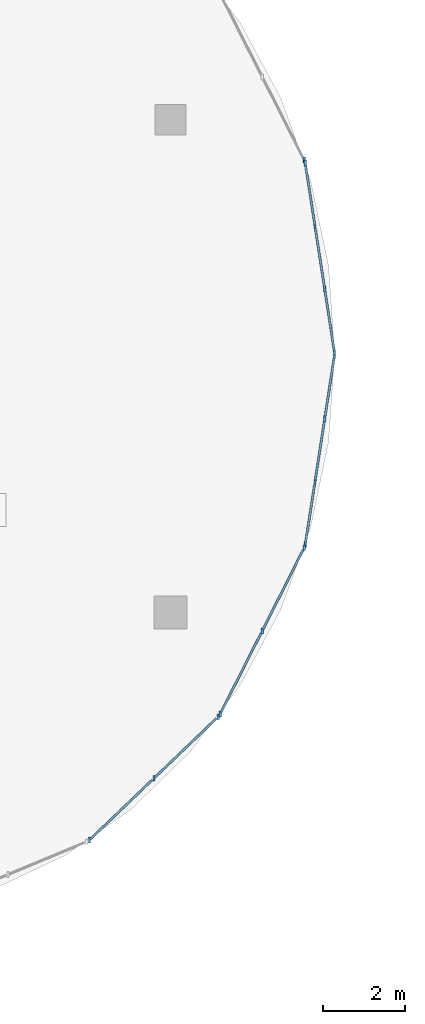
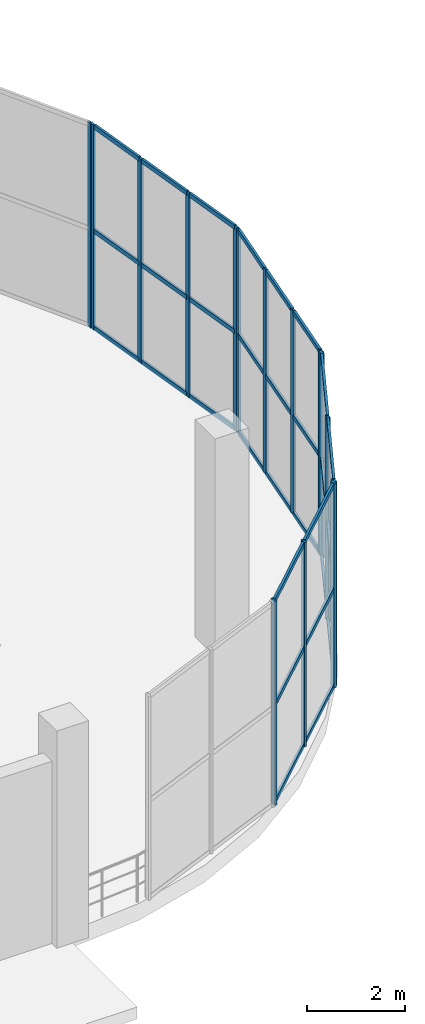
# One storey, part 40 of 85: 45 members, 5 elements without a shape of their own.
"""IFC4 building model written with IfcOpenShell, lengths in metres."""

from ifc_helpers import new_model, si_unit, direction, frame, origin, origin_2d, place, context, subcontext, project, spatial, rectangle, extrude, material, material_profile, profile_set, type_object, element, aggregate, save


model = new_model("IFC4")

# Units and contexts
model_context = context("Model", 3, precision=1e-05, world=origin(), true_north=direction((0.0, 1.0)))
body_context = subcontext(model_context, "Body", "Model", "MODEL_VIEW")
ifc_project = project(units=[si_unit("LENGTHUNIT", "METRE"), si_unit("AREAUNIT", "SQUARE_METRE"), si_unit("VOLUMEUNIT", "CUBIC_METRE"), si_unit("PLANEANGLEUNIT", "RADIAN"), si_unit("MASSUNIT", "GRAM", prefix="KILO"), si_unit("THERMODYNAMICTEMPERATUREUNIT", "KELVIN"), si_unit("POWERUNIT", "WATT")], contexts=[model_context])

# Site, building, storey
site_placement = place(None, origin())
site = spatial("IfcSite", under=ifc_project, at=site_placement, CompositionType="ELEMENT")
building_placement = place(site_placement, origin())
building = spatial("IfcBuilding", under=site, at=building_placement, Name="Solmara Park Aquatics Centre", CompositionType="ELEMENT")
storey_placement = place(building_placement, origin())
storey = spatial("IfcBuildingStorey", under=building, at=storey_placement, Name="L00", CompositionType="ELEMENT", Elevation=0.0)

# Curtain wall, members
ifc_material_1 = material(Name="Anodised Aluminium Curtain Wall Framing", Category="aluminium")
curtain_wall_type = type_object("IfcCurtainWallType", Name="ARC-CW-SYS06", PredefinedType="USERDEFINED", material=ifc_material_1)
curtain_wall_1_placement = place(storey_placement, origin())
curtain_wall_1 = element("IfcCurtainWall", 1, at=curtain_wall_1_placement, inside=storey, type_object=curtain_wall_type, Name="Curtain Wall CW-139", ObjectType="CURTAIN WALL", PredefinedType="USERDEFINED")
ifc_material_2 = material(Name="Anodised Aluminium Alloy 6063-T6", Category="aluminium")
ifc_material_profile_1 = material_profile(ifc_material_2, rectangle(XDim=0.054931640625, YDim=0.139892578125, at=origin_2d()), Name="ALU MULLION 55x140")
ifc_profile_set_1 = profile_set([ifc_material_profile_1], Name="Anodised Aluminium Alloy 6063-T6")
member_type_1 = type_object("IfcMemberType", Name="ARC-CWM-55x140", PredefinedType="MULLION", material=ifc_profile_set_1)
member_1_placement = place(storey_placement, frame((162.02880859375, 110.463134765625, 0.0), z_axis=(0.0, 0.0, 1.0), x_axis=(1.0, 0.0, 0.0)))
member_1 = element("IfcMember", 2, at=member_1_placement, type_object=member_type_1, Name="CW-139 mullion 1", PredefinedType="MULLION", context=body_context, shape_type="SweptSolid", body=[
    extrude(rectangle(XDim=0.054931640625, YDim=0.139892578125, at=origin_2d()), origin(), (0.0, 0.0, 1.0), 5.080078125),
])
member_2_placement = place(storey_placement, frame((163.59619140625, 111.964599609375, 0.0), z_axis=(0.0, 0.0, 1.0), x_axis=(1.0, 0.0, 0.0)))
member_2 = element("IfcMember", 3, at=member_2_placement, type_object=member_type_1, Name="CW-139 mullion 2", PredefinedType="MULLION", context=body_context, shape_type="SweptSolid", body=[
    extrude(rectangle(XDim=0.054931640625, YDim=0.139892578125, at=origin_2d()), origin(), (0.0, 0.0, 1.0), 5.080078125),
])
member_3_placement = place(storey_placement, frame((165.16357421875, 113.466064453125, 0.0), z_axis=(0.0, 0.0, 1.0), x_axis=(1.0, 0.0, 0.0)))
member_3 = element("IfcMember", 4, at=member_3_placement, type_object=member_type_1, Name="CW-139 mullion 3", PredefinedType="MULLION", context=body_context, shape_type="SweptSolid", body=[
    extrude(rectangle(XDim=0.054931640625, YDim=0.139892578125, at=origin_2d()), origin(), (0.0, 0.0, 1.0), 5.080078125),
])

curtain_wall_2_placement = place(storey_placement, origin())
curtain_wall_2 = element("IfcCurtainWall", 5, at=curtain_wall_2_placement, inside=storey, type_object=curtain_wall_type, Name="Curtain Wall CW-140", ObjectType="CURTAIN WALL", PredefinedType="USERDEFINED")
member_4_placement = place(storey_placement, frame((165.210693359375, 113.529541015625, 0.0), z_axis=(0.0, 0.0, 1.0), x_axis=(1.0, 0.0, 0.0)))
member_4 = element("IfcMember", 6, at=member_4_placement, type_object=member_type_1, Name="CW-140 mullion 1", PredefinedType="MULLION", context=body_context, shape_type="SweptSolid", body=[
    extrude(rectangle(XDim=0.054931640625, YDim=0.139892578125, at=origin_2d()), origin(), (0.0, 0.0, 1.0), 5.080078125),
])
member_5_placement = place(storey_placement, frame((166.234375, 115.553955078125, 0.0), z_axis=(0.0, 0.0, 1.0), x_axis=(1.0, 0.0, 0.0)))
member_5 = element("IfcMember", 7, at=member_5_placement, type_object=member_type_1, Name="CW-140 mullion 2", PredefinedType="MULLION", context=body_context, shape_type="SweptSolid", body=[
    extrude(rectangle(XDim=0.054931640625, YDim=0.139892578125, at=origin_2d()), origin(), (0.0, 0.0, 1.0), 5.080078125),
])
member_6_placement = place(storey_placement, frame((167.25830078125, 117.57861328125, 0.0), z_axis=(0.0, 0.0, 1.0), x_axis=(1.0, 0.0, 0.0)))
member_6 = element("IfcMember", 8, at=member_6_placement, type_object=member_type_1, Name="CW-140 mullion 3", PredefinedType="MULLION", context=body_context, shape_type="SweptSolid", body=[
    extrude(rectangle(XDim=0.054931640625, YDim=0.139892578125, at=origin_2d()), origin(), (0.0, 0.0, 1.0), 5.080078125),
])

curtain_wall_3_placement = place(storey_placement, origin())
curtain_wall_3 = element("IfcCurtainWall", 9, at=curtain_wall_3_placement, inside=storey, type_object=curtain_wall_type, Name="Curtain Wall CW-141", ObjectType="CURTAIN WALL", PredefinedType="USERDEFINED")
member_7_placement = place(storey_placement, frame((167.282470703125, 117.65380859375, 0.0), z_axis=(0.0, 0.0, 1.0), x_axis=(1.0, 0.0, 0.0)))
member_7 = element("IfcMember", 10, at=member_7_placement, type_object=member_type_1, Name="CW-141 mullion 1", PredefinedType="MULLION", context=body_context, shape_type="SweptSolid", body=[
    extrude(rectangle(XDim=0.054931640625, YDim=0.139892578125, at=origin_2d()), origin(), (0.0, 0.0, 1.0), 5.080078125),
])
member_8_placement = place(storey_placement, frame((167.51953125, 119.189453125, 0.0), z_axis=(0.0, 0.0, 1.0), x_axis=(1.0, 0.0, 0.0)))
member_8 = element("IfcMember", 11, at=member_8_placement, type_object=member_type_1, Name="CW-141 mullion 2", PredefinedType="MULLION", context=body_context, shape_type="SweptSolid", body=[
    extrude(rectangle(XDim=0.054931640625, YDim=0.139892578125, at=origin_2d()), origin(), (0.0, 0.0, 1.0), 5.080078125),
])
member_9_placement = place(storey_placement, frame((167.756591796875, 120.724853515625, 0.0), z_axis=(0.0, 0.0, 1.0), x_axis=(1.0, 0.0, 0.0)))
member_9 = element("IfcMember", 12, at=member_9_placement, type_object=member_type_1, Name="CW-141 mullion 3", PredefinedType="MULLION", context=body_context, shape_type="SweptSolid", body=[
    extrude(rectangle(XDim=0.054931640625, YDim=0.139892578125, at=origin_2d()), origin(), (0.0, 0.0, 1.0), 5.080078125),
])
member_10_placement = place(storey_placement, frame((167.993896484375, 122.260498046875, 0.0), z_axis=(0.0, 0.0, 1.0), x_axis=(1.0, 0.0, 0.0)))
member_10 = element("IfcMember", 13, at=member_10_placement, type_object=member_type_1, Name="CW-141 mullion 4", PredefinedType="MULLION", context=body_context, shape_type="SweptSolid", body=[
    extrude(rectangle(XDim=0.054931640625, YDim=0.139892578125, at=origin_2d()), origin(), (0.0, 0.0, 1.0), 5.080078125),
])

curtain_wall_4_placement = place(storey_placement, origin())
curtain_wall_4 = element("IfcCurtainWall", 14, at=curtain_wall_4_placement, inside=storey, type_object=curtain_wall_type, Name="Curtain Wall CW-142", ObjectType="CURTAIN WALL", PredefinedType="USERDEFINED")
member_11_placement = place(storey_placement, frame((167.993896484375, 122.339599609375, 0.0), z_axis=(0.0, 0.0, 1.0), x_axis=(1.0, 0.0, 0.0)))
member_11 = element("IfcMember", 15, at=member_11_placement, type_object=member_type_1, Name="CW-142 mullion 1", PredefinedType="MULLION", context=body_context, shape_type="SweptSolid", body=[
    extrude(rectangle(XDim=0.054931640625, YDim=0.139892578125, at=origin_2d()), origin(), (0.0, 0.0, 1.0), 5.080078125),
])
member_12_placement = place(storey_placement, frame((167.756591796875, 123.875, 0.0), z_axis=(0.0, 0.0, 1.0), x_axis=(1.0, 0.0, 0.0)))
member_12 = element("IfcMember", 16, at=member_12_placement, type_object=member_type_1, Name="CW-142 mullion 2", PredefinedType="MULLION", context=body_context, shape_type="SweptSolid", body=[
    extrude(rectangle(XDim=0.054931640625, YDim=0.139892578125, at=origin_2d()), origin(), (0.0, 0.0, 1.0), 5.080078125),
])
member_13_placement = place(storey_placement, frame((167.51953125, 125.41064453125, 0.0), z_axis=(0.0, 0.0, 1.0), x_axis=(1.0, 0.0, 0.0)))
member_13 = element("IfcMember", 17, at=member_13_placement, type_object=member_type_1, Name="CW-142 mullion 3", PredefinedType="MULLION", context=body_context, shape_type="SweptSolid", body=[
    extrude(rectangle(XDim=0.054931640625, YDim=0.139892578125, at=origin_2d()), origin(), (0.0, 0.0, 1.0), 5.080078125),
])
member_14_placement = place(storey_placement, frame((167.282470703125, 126.9462890625, 0.0), z_axis=(0.0, 0.0, 1.0), x_axis=(1.0, 0.0, 0.0)))
member_14 = element("IfcMember", 18, at=member_14_placement, type_object=member_type_1, Name="CW-142 mullion 4", PredefinedType="MULLION", context=body_context, shape_type="SweptSolid", body=[
    extrude(rectangle(XDim=0.054931640625, YDim=0.139892578125, at=origin_2d()), origin(), (0.0, 0.0, 1.0), 5.080078125),
])

# Curtain wall, member
curtain_wall_5_placement = place(storey_placement, origin())
curtain_wall_5 = element("IfcCurtainWall", 19, at=curtain_wall_5_placement, inside=storey, type_object=curtain_wall_type, Name="Curtain Wall CW-143", ObjectType="CURTAIN WALL", PredefinedType="USERDEFINED")
member_15_placement = place(storey_placement, frame((167.25830078125, 127.021484375, 0.0), z_axis=(0.0, 0.0, 1.0), x_axis=(1.0, 0.0, 0.0)))
member_15 = element("IfcMember", 20, at=member_15_placement, type_object=member_type_1, Name="CW-143 mullion 1", PredefinedType="MULLION", context=body_context, shape_type="SweptSolid", body=[
    extrude(rectangle(XDim=0.054931640625, YDim=0.139892578125, at=origin_2d()), origin(), (0.0, 0.0, 1.0), 5.080078125),
])
aggregate(curtain_wall_5, [member_15])

# Member
ifc_material_profile_2 = material_profile(ifc_material_2, rectangle(XDim=0.054931640625, YDim=0.110107421875, at=origin_2d()), Name="ALU TRANSOM 55x110")
ifc_profile_set_2 = profile_set([ifc_material_profile_2], Name="Anodised Aluminium Alloy 6063-T6")
member_type_2 = type_object("IfcMemberType", Name="ARC-CWT-55x110", PredefinedType="USERDEFINED", material=ifc_profile_set_2)
member_16_placement = place(storey_placement, frame((162.043212890625, 110.47705078125, 0.0400390625), z_axis=(0.722182637866, 0.691702419806, 0.0), x_axis=(-0.691702419806, 0.722182637866, 0.0)))
member_16 = element("IfcMember", 21, at=member_16_placement, type_object=member_type_2, Name="CW-139 transom 1", ObjectType="TRANSOM", PredefinedType="USERDEFINED", context=body_context, shape_type="SweptSolid", body=[
    extrude(rectangle(XDim=0.054931640625, YDim=0.110107421875, at=origin_2d()), origin(), (0.0, 0.0, 1.0), 2.090576171875),
])

member_17_placement = place(storey_placement, frame((162.043212890625, 110.47705078125, 2.449951171875), z_axis=(0.722182637866, 0.691702419806, 0.0), x_axis=(-0.691702419806, 0.722182637866, 0.0)))
member_17 = element("IfcMember", 22, at=member_17_placement, type_object=member_type_2, Name="CW-139 transom 2", ObjectType="TRANSOM", PredefinedType="USERDEFINED", context=body_context, shape_type="SweptSolid", body=[
    extrude(rectangle(XDim=0.054931640625, YDim=0.110107421875, at=origin_2d()), origin(), (0.0, 0.0, 1.0), 2.090576171875),
])

member_18_placement = place(storey_placement, frame((162.043212890625, 110.47705078125, 5.0400390625), z_axis=(0.722182637866, 0.691702419806, 0.0), x_axis=(-0.691702419806, 0.722182637866, 0.0)))
member_18 = element("IfcMember", 23, at=member_18_placement, type_object=member_type_2, Name="CW-139 transom 3", ObjectType="TRANSOM", PredefinedType="USERDEFINED", context=body_context, shape_type="SweptSolid", body=[
    extrude(rectangle(XDim=0.054931640625, YDim=0.110107421875, at=origin_2d()), origin(), (0.0, 0.0, 1.0), 2.090576171875),
])

member_19_placement = place(storey_placement, frame((163.610595703125, 111.978515625, 0.0400390625), z_axis=(0.722182637866, 0.691702419806, 0.0), x_axis=(-0.691702419806, 0.722182637866, 0.0)))
member_19 = element("IfcMember", 24, at=member_19_placement, type_object=member_type_2, Name="CW-139 transom 4", ObjectType="TRANSOM", PredefinedType="USERDEFINED", context=body_context, shape_type="SweptSolid", body=[
    extrude(rectangle(XDim=0.054931640625, YDim=0.110107421875, at=origin_2d()), origin(), (0.0, 0.0, 1.0), 2.090576171875),
])

member_20_placement = place(storey_placement, frame((163.610595703125, 111.978515625, 2.449951171875), z_axis=(0.722182637866, 0.691702419806, 0.0), x_axis=(-0.691702419806, 0.722182637866, 0.0)))
member_20 = element("IfcMember", 25, at=member_20_placement, type_object=member_type_2, Name="CW-139 transom 5", ObjectType="TRANSOM", PredefinedType="USERDEFINED", context=body_context, shape_type="SweptSolid", body=[
    extrude(rectangle(XDim=0.054931640625, YDim=0.110107421875, at=origin_2d()), origin(), (0.0, 0.0, 1.0), 2.090576171875),
])

member_21_placement = place(storey_placement, frame((163.610595703125, 111.978515625, 5.0400390625), z_axis=(0.722182637866, 0.691702419806, 0.0), x_axis=(-0.691702419806, 0.722182637866, 0.0)))
member_21 = element("IfcMember", 26, at=member_21_placement, type_object=member_type_2, Name="CW-139 transom 6", ObjectType="TRANSOM", PredefinedType="USERDEFINED", context=body_context, shape_type="SweptSolid", body=[
    extrude(rectangle(XDim=0.054931640625, YDim=0.110107421875, at=origin_2d()), origin(), (0.0, 0.0, 1.0), 2.090576171875),
])

aggregate(curtain_wall_1, [member_1, member_2, member_3, member_16, member_17, member_18, member_19, member_20, member_21])

member_22_placement = place(storey_placement, frame((165.219482421875, 113.54736328125, 0.0400390625), z_axis=(0.451313766268, 0.892365331227, 0.0), x_axis=(-0.892365331227, 0.451313766268, 0.0)))
member_22 = element("IfcMember", 27, at=member_22_placement, type_object=member_type_2, Name="CW-140 transom 1", ObjectType="TRANSOM", PredefinedType="USERDEFINED", context=body_context, shape_type="SweptSolid", body=[
    extrude(rectangle(XDim=0.054931640625, YDim=0.110107421875, at=origin_2d()), origin(), (0.0, 0.0, 1.0), 2.188720703125),
])

member_23_placement = place(storey_placement, frame((165.219482421875, 113.54736328125, 2.449951171875), z_axis=(0.451313766268, 0.892365331227, 0.0), x_axis=(-0.892365331227, 0.451313766268, 0.0)))
member_23 = element("IfcMember", 28, at=member_23_placement, type_object=member_type_2, Name="CW-140 transom 2", ObjectType="TRANSOM", PredefinedType="USERDEFINED", context=body_context, shape_type="SweptSolid", body=[
    extrude(rectangle(XDim=0.054931640625, YDim=0.110107421875, at=origin_2d()), origin(), (0.0, 0.0, 1.0), 2.188720703125),
])

member_24_placement = place(storey_placement, frame((165.219482421875, 113.54736328125, 5.0400390625), z_axis=(0.451313766268, 0.892365331227, 0.0), x_axis=(-0.892365331227, 0.451313766268, 0.0)))
member_24 = element("IfcMember", 29, at=member_24_placement, type_object=member_type_2, Name="CW-140 transom 3", ObjectType="TRANSOM", PredefinedType="USERDEFINED", context=body_context, shape_type="SweptSolid", body=[
    extrude(rectangle(XDim=0.054931640625, YDim=0.110107421875, at=origin_2d()), origin(), (0.0, 0.0, 1.0), 2.188720703125),
])

member_25_placement = place(storey_placement, frame((166.243408203125, 115.572021484375, 0.0400390625), z_axis=(0.451313766268, 0.892365331227, 0.0), x_axis=(-0.892365331227, 0.451313766268, 0.0)))
member_25 = element("IfcMember", 30, at=member_25_placement, type_object=member_type_2, Name="CW-140 transom 4", ObjectType="TRANSOM", PredefinedType="USERDEFINED", context=body_context, shape_type="SweptSolid", body=[
    extrude(rectangle(XDim=0.054931640625, YDim=0.110107421875, at=origin_2d()), origin(), (0.0, 0.0, 1.0), 2.188720703125),
])

member_26_placement = place(storey_placement, frame((166.243408203125, 115.572021484375, 2.449951171875), z_axis=(0.451313766268, 0.892365331227, 0.0), x_axis=(-0.892365331227, 0.451313766268, 0.0)))
member_26 = element("IfcMember", 31, at=member_26_placement, type_object=member_type_2, Name="CW-140 transom 5", ObjectType="TRANSOM", PredefinedType="USERDEFINED", context=body_context, shape_type="SweptSolid", body=[
    extrude(rectangle(XDim=0.054931640625, YDim=0.110107421875, at=origin_2d()), origin(), (0.0, 0.0, 1.0), 2.188720703125),
])

member_27_placement = place(storey_placement, frame((166.243408203125, 115.572021484375, 5.0400390625), z_axis=(0.451313766268, 0.892365331227, 0.0), x_axis=(-0.892365331227, 0.451313766268, 0.0)))
member_27 = element("IfcMember", 32, at=member_27_placement, type_object=member_type_2, Name="CW-140 transom 6", ObjectType="TRANSOM", PredefinedType="USERDEFINED", context=body_context, shape_type="SweptSolid", body=[
    extrude(rectangle(XDim=0.054931640625, YDim=0.110107421875, at=origin_2d()), origin(), (0.0, 0.0, 1.0), 2.188720703125),
])

aggregate(curtain_wall_2, [member_4, member_5, member_6, member_22, member_23, member_24, member_25, member_26, member_27])

member_28_placement = place(storey_placement, frame((167.285400390625, 117.673583984375, 0.0400390625), z_axis=(0.152729324341, 0.988268057506, 0.0), x_axis=(-0.988268057506, 0.152729324341, 0.0)))
member_28 = element("IfcMember", 33, at=member_28_placement, type_object=member_type_2, Name="CW-141 transom 1", ObjectType="TRANSOM", PredefinedType="USERDEFINED", context=body_context, shape_type="SweptSolid", body=[
    extrude(rectangle(XDim=0.054931640625, YDim=0.110107421875, at=origin_2d()), origin(), (0.0, 0.0, 1.0), 1.473876953125),
])

member_29_placement = place(storey_placement, frame((167.285400390625, 117.673583984375, 2.449951171875), z_axis=(0.152729324341, 0.988268057506, 0.0), x_axis=(-0.988268057506, 0.152729324341, 0.0)))
member_29 = element("IfcMember", 34, at=member_29_placement, type_object=member_type_2, Name="CW-141 transom 2", ObjectType="TRANSOM", PredefinedType="USERDEFINED", context=body_context, shape_type="SweptSolid", body=[
    extrude(rectangle(XDim=0.054931640625, YDim=0.110107421875, at=origin_2d()), origin(), (0.0, 0.0, 1.0), 1.473876953125),
])

member_30_placement = place(storey_placement, frame((167.285400390625, 117.673583984375, 5.0400390625), z_axis=(0.152729324341, 0.988268057506, 0.0), x_axis=(-0.988268057506, 0.152729324341, 0.0)))
member_30 = element("IfcMember", 35, at=member_30_placement, type_object=member_type_2, Name="CW-141 transom 3", ObjectType="TRANSOM", PredefinedType="USERDEFINED", context=body_context, shape_type="SweptSolid", body=[
    extrude(rectangle(XDim=0.054931640625, YDim=0.110107421875, at=origin_2d()), origin(), (0.0, 0.0, 1.0), 1.473876953125),
])

member_31_placement = place(storey_placement, frame((167.522705078125, 119.208984375, 0.0400390625), z_axis=(0.152567532171, 0.988293047698, 0.0), x_axis=(-0.988293047698, 0.152567532171, 0.0)))
member_31 = element("IfcMember", 36, at=member_31_placement, type_object=member_type_2, Name="CW-141 transom 4", ObjectType="TRANSOM", PredefinedType="USERDEFINED", context=body_context, shape_type="SweptSolid", body=[
    extrude(rectangle(XDim=0.054931640625, YDim=0.110107421875, at=origin_2d()), origin(), (0.0, 0.0, 1.0), 1.473876953125),
])

member_32_placement = place(storey_placement, frame((167.522705078125, 119.208984375, 2.449951171875), z_axis=(0.152567532171, 0.988293047698, 0.0), x_axis=(-0.988293047698, 0.152567532171, 0.0)))
member_32 = element("IfcMember", 37, at=member_32_placement, type_object=member_type_2, Name="CW-141 transom 5", ObjectType="TRANSOM", PredefinedType="USERDEFINED", context=body_context, shape_type="SweptSolid", body=[
    extrude(rectangle(XDim=0.054931640625, YDim=0.110107421875, at=origin_2d()), origin(), (0.0, 0.0, 1.0), 1.473876953125),
])

member_33_placement = place(storey_placement, frame((167.522705078125, 119.208984375, 5.0400390625), z_axis=(0.152567532171, 0.988293047698, 0.0), x_axis=(-0.988293047698, 0.152567532171, 0.0)))
member_33 = element("IfcMember", 38, at=member_33_placement, type_object=member_type_2, Name="CW-141 transom 6", ObjectType="TRANSOM", PredefinedType="USERDEFINED", context=body_context, shape_type="SweptSolid", body=[
    extrude(rectangle(XDim=0.054931640625, YDim=0.110107421875, at=origin_2d()), origin(), (0.0, 0.0, 1.0), 1.473876953125),
])

member_34_placement = place(storey_placement, frame((167.759765625, 120.74462890625, 0.0400390625), z_axis=(0.152567532171, 0.988293047698, 0.0), x_axis=(-0.988293047698, 0.152567532171, 0.0)))
member_34 = element("IfcMember", 39, at=member_34_placement, type_object=member_type_2, Name="CW-141 transom 7", ObjectType="TRANSOM", PredefinedType="USERDEFINED", context=body_context, shape_type="SweptSolid", body=[
    extrude(rectangle(XDim=0.054931640625, YDim=0.110107421875, at=origin_2d()), origin(), (0.0, 0.0, 1.0), 1.473876953125),
])

member_35_placement = place(storey_placement, frame((167.759765625, 120.74462890625, 2.449951171875), z_axis=(0.152567532171, 0.988293047698, 0.0), x_axis=(-0.988293047698, 0.152567532171, 0.0)))
member_35 = element("IfcMember", 40, at=member_35_placement, type_object=member_type_2, Name="CW-141 transom 8", ObjectType="TRANSOM", PredefinedType="USERDEFINED", context=body_context, shape_type="SweptSolid", body=[
    extrude(rectangle(XDim=0.054931640625, YDim=0.110107421875, at=origin_2d()), origin(), (0.0, 0.0, 1.0), 1.473876953125),
])

member_36_placement = place(storey_placement, frame((167.759765625, 120.74462890625, 5.0400390625), z_axis=(0.152567532171, 0.988293047698, 0.0), x_axis=(-0.988293047698, 0.152567532171, 0.0)))
member_36 = element("IfcMember", 41, at=member_36_placement, type_object=member_type_2, Name="CW-141 transom 9", ObjectType="TRANSOM", PredefinedType="USERDEFINED", context=body_context, shape_type="SweptSolid", body=[
    extrude(rectangle(XDim=0.054931640625, YDim=0.110107421875, at=origin_2d()), origin(), (0.0, 0.0, 1.0), 1.473876953125),
])

aggregate(curtain_wall_3, [member_7, member_8, member_9, member_10, member_28, member_29, member_30, member_31, member_32, member_33, member_34, member_35, member_36])

member_37_placement = place(storey_placement, frame((167.99072265625, 122.359375, 0.0400390625), z_axis=(-0.152567532171, 0.988293047698, 0.0), x_axis=(-0.988293047698, -0.152567532171, 0.0)))
member_37 = element("IfcMember", 42, at=member_37_placement, type_object=member_type_2, Name="CW-142 transom 1", ObjectType="TRANSOM", PredefinedType="USERDEFINED", context=body_context, shape_type="SweptSolid", body=[
    extrude(rectangle(XDim=0.054931640625, YDim=0.110107421875, at=origin_2d()), origin(), (0.0, 0.0, 1.0), 1.473876953125),
])

member_38_placement = place(storey_placement, frame((167.99072265625, 122.359375, 2.449951171875), z_axis=(-0.152567532171, 0.988293047698, 0.0), x_axis=(-0.988293047698, -0.152567532171, 0.0)))
member_38 = element("IfcMember", 43, at=member_38_placement, type_object=member_type_2, Name="CW-142 transom 2", ObjectType="TRANSOM", PredefinedType="USERDEFINED", context=body_context, shape_type="SweptSolid", body=[
    extrude(rectangle(XDim=0.054931640625, YDim=0.110107421875, at=origin_2d()), origin(), (0.0, 0.0, 1.0), 1.473876953125),
])

member_39_placement = place(storey_placement, frame((167.99072265625, 122.359375, 5.0400390625), z_axis=(-0.152567532171, 0.988293047698, 0.0), x_axis=(-0.988293047698, -0.152567532171, 0.0)))
member_39 = element("IfcMember", 44, at=member_39_placement, type_object=member_type_2, Name="CW-142 transom 3", ObjectType="TRANSOM", PredefinedType="USERDEFINED", context=body_context, shape_type="SweptSolid", body=[
    extrude(rectangle(XDim=0.054931640625, YDim=0.110107421875, at=origin_2d()), origin(), (0.0, 0.0, 1.0), 1.473876953125),
])

member_40_placement = place(storey_placement, frame((167.753662109375, 123.894775390625, 0.0400390625), z_axis=(-0.152567532171, 0.988293047698, 0.0), x_axis=(-0.988293047698, -0.152567532171, 0.0)))
member_40 = element("IfcMember", 45, at=member_40_placement, type_object=member_type_2, Name="CW-142 transom 4", ObjectType="TRANSOM", PredefinedType="USERDEFINED", context=body_context, shape_type="SweptSolid", body=[
    extrude(rectangle(XDim=0.054931640625, YDim=0.110107421875, at=origin_2d()), origin(), (0.0, 0.0, 1.0), 1.473876953125),
])

member_41_placement = place(storey_placement, frame((167.753662109375, 123.894775390625, 2.449951171875), z_axis=(-0.152567532171, 0.988293047698, 0.0), x_axis=(-0.988293047698, -0.152567532171, 0.0)))
member_41 = element("IfcMember", 46, at=member_41_placement, type_object=member_type_2, Name="CW-142 transom 5", ObjectType="TRANSOM", PredefinedType="USERDEFINED", context=body_context, shape_type="SweptSolid", body=[
    extrude(rectangle(XDim=0.054931640625, YDim=0.110107421875, at=origin_2d()), origin(), (0.0, 0.0, 1.0), 1.473876953125),
])

member_42_placement = place(storey_placement, frame((167.753662109375, 123.894775390625, 5.0400390625), z_axis=(-0.152567532171, 0.988293047698, 0.0), x_axis=(-0.988293047698, -0.152567532171, 0.0)))
member_42 = element("IfcMember", 47, at=member_42_placement, type_object=member_type_2, Name="CW-142 transom 6", ObjectType="TRANSOM", PredefinedType="USERDEFINED", context=body_context, shape_type="SweptSolid", body=[
    extrude(rectangle(XDim=0.054931640625, YDim=0.110107421875, at=origin_2d()), origin(), (0.0, 0.0, 1.0), 1.473876953125),
])

member_43_placement = place(storey_placement, frame((167.5166015625, 125.430419921875, 0.0400390625), z_axis=(-0.152729324341, 0.988268057506, 0.0), x_axis=(-0.988268057506, -0.152729324341, 0.0)))
member_43 = element("IfcMember", 48, at=member_43_placement, type_object=member_type_2, Name="CW-142 transom 7", ObjectType="TRANSOM", PredefinedType="USERDEFINED", context=body_context, shape_type="SweptSolid", body=[
    extrude(rectangle(XDim=0.054931640625, YDim=0.110107421875, at=origin_2d()), origin(), (0.0, 0.0, 1.0), 1.473876953125),
])

member_44_placement = place(storey_placement, frame((167.5166015625, 125.430419921875, 2.449951171875), z_axis=(-0.152729324341, 0.988268057506, 0.0), x_axis=(-0.988268057506, -0.152729324341, 0.0)))
member_44 = element("IfcMember", 49, at=member_44_placement, type_object=member_type_2, Name="CW-142 transom 8", ObjectType="TRANSOM", PredefinedType="USERDEFINED", context=body_context, shape_type="SweptSolid", body=[
    extrude(rectangle(XDim=0.054931640625, YDim=0.110107421875, at=origin_2d()), origin(), (0.0, 0.0, 1.0), 1.473876953125),
])

member_45_placement = place(storey_placement, frame((167.5166015625, 125.430419921875, 5.0400390625), z_axis=(-0.152729324341, 0.988268057506, 0.0), x_axis=(-0.988268057506, -0.152729324341, 0.0)))
member_45 = element("IfcMember", 50, at=member_45_placement, type_object=member_type_2, Name="CW-142 transom 9", ObjectType="TRANSOM", PredefinedType="USERDEFINED", context=body_context, shape_type="SweptSolid", body=[
    extrude(rectangle(XDim=0.054931640625, YDim=0.110107421875, at=origin_2d()), origin(), (0.0, 0.0, 1.0), 1.473876953125),
])

aggregate(curtain_wall_4, [member_11, member_12, member_13, member_14, member_37, member_38, member_39, member_40, member_41, member_42, member_43, member_44, member_45])

save(model, "model.ifc")
